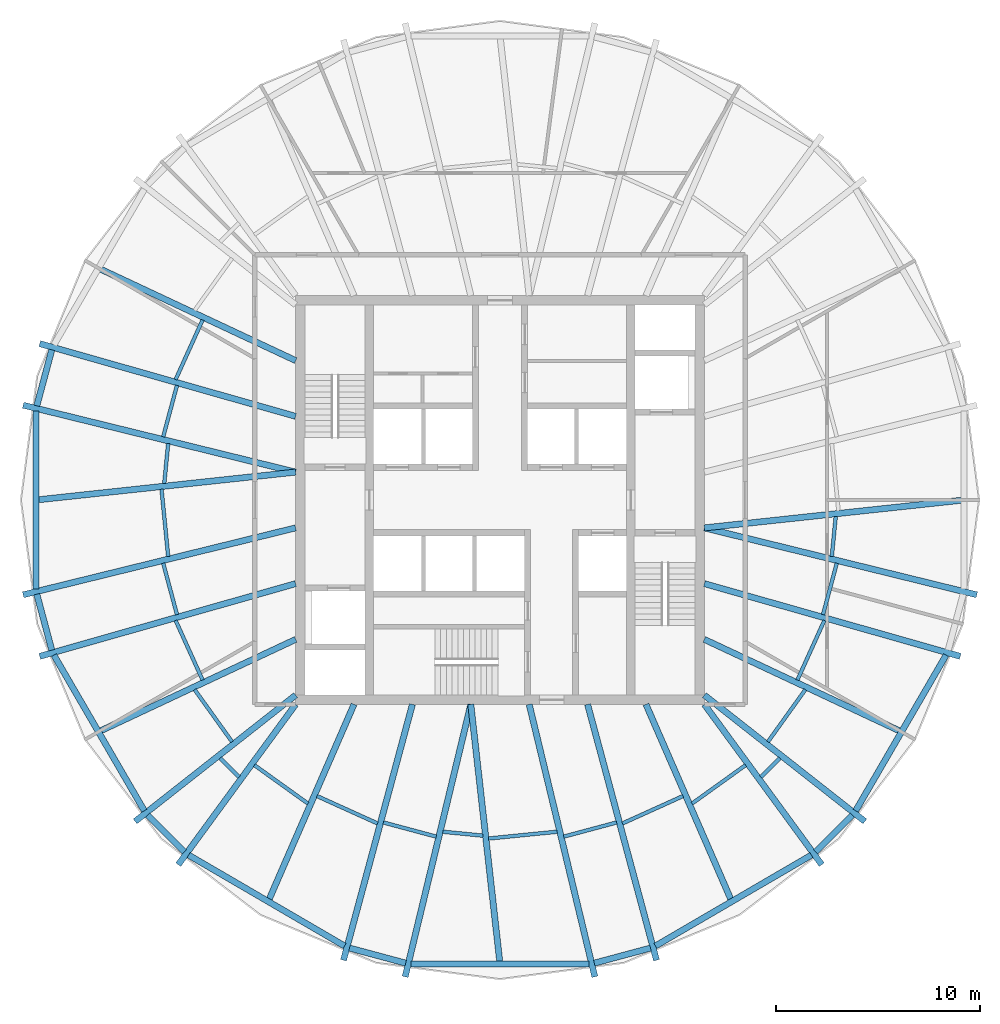
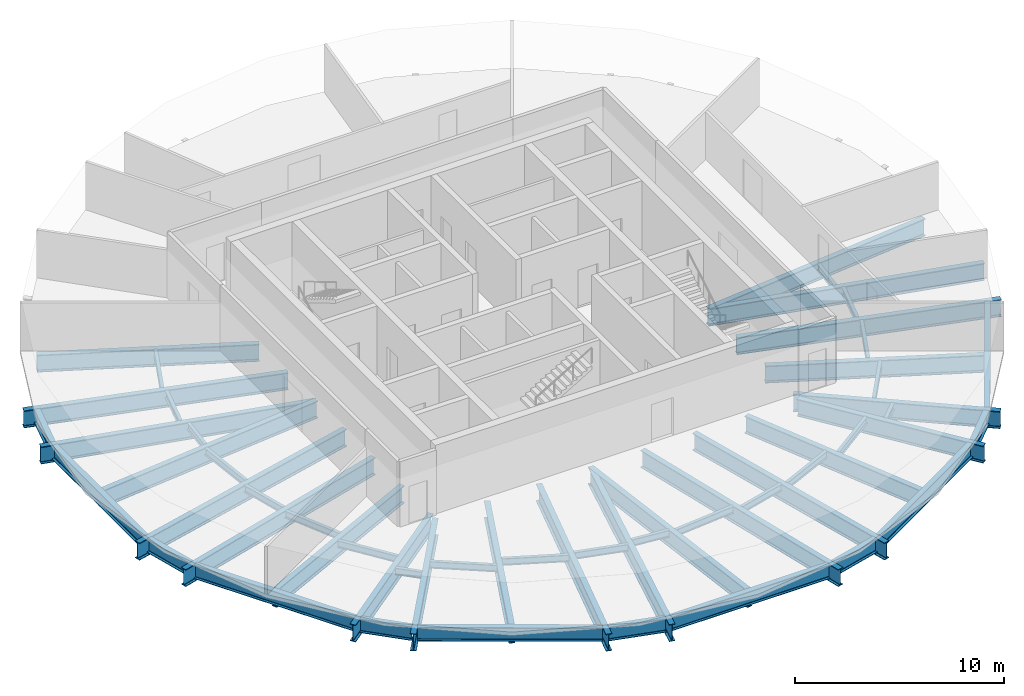
# One storey, part 1 of 6: 55 beams.
"""IFC4 building model written with IfcOpenShell, lengths in metres."""

from ifc_helpers import new_model, si_unit, direction, frame, origin, origin_2d, place, context, subcontext, project, spatial, i_section, extrude, material, material_profile, profile_set, type_object, element, save


model = new_model("IFC4")

# Units and contexts
model_context = context("Model", 3, precision=1e-05, world=origin(), true_north=direction((0.0, 1.0)))
body_context = subcontext(model_context, "Body", "Model", "MODEL_VIEW")
ifc_project = project(units=[si_unit("LENGTHUNIT", "METRE"), si_unit("AREAUNIT", "SQUARE_METRE"), si_unit("VOLUMEUNIT", "CUBIC_METRE"), si_unit("PLANEANGLEUNIT", "RADIAN"), si_unit("MASSUNIT", "GRAM", prefix="KILO")], contexts=[model_context])

# Site, building, storey
site_placement = place(None, origin())
site = spatial("IfcSite", under=ifc_project, at=site_placement, CompositionType="ELEMENT")
building_placement = place(site_placement, origin())
building = spatial("IfcBuilding", under=site, at=building_placement, Name="Golbaran Civic Tower", CompositionType="ELEMENT")
storey_placement = place(building_placement, frame((0.0, 0.0, 203.0)))
storey = spatial("IfcBuildingStorey", under=building, at=storey_placement, Name="L49", CompositionType="ELEMENT", Elevation=203.0)

# Beams
ifc_material = material(Name="Steel S355", Category="steel")
ifc_material_profile_1 = material_profile(ifc_material, i_section(OverallWidth=0.300048828125, OverallDepth=0.800048828125, WebThickness=0.017578125, FlangeThickness=0.032958984375, FilletRadius=0.030029296875, at=origin_2d()), Name="HEB 800")
ifc_profile_set_1 = profile_set([ifc_material_profile_1], Name="Steel S355")
beam_type_1 = type_object("IfcBeamType", Name="EDGE BEAM HEB 800", PredefinedType="BEAM", material=ifc_profile_set_1)
beam_1_placement = place(storey_placement, frame((-21.928955078125, 7.34716796875, -0.60009765625), z_axis=(-0.259012973033, -0.965873842591, 0.0), x_axis=(0.965873842591, -0.259012973033, 0.0)))
element("IfcBeam", 1, at=beam_1_placement, inside=storey, type_object=beam_type_1, Name="Edge beam 161.30 L49", PredefinedType="BEAM", context=body_context, shape_type="SweptSolid", body=[
    extrude(i_section(OverallWidth=0.300048828125, OverallDepth=0.800048828125, WebThickness=0.017578125, FlangeThickness=0.032958984375, FilletRadius=0.030029296875, at=origin_2d()), origin(), (0.0, 0.0, 1.0), 2.835205078125),
])
beam_2_placement = place(storey_placement, frame((-22.69677734375, 4.34912109375, -0.60009765625), z_axis=(0.0, -1.0, 0.0), x_axis=(1.0, 0.0, 0.0)))
element("IfcBeam", 2, at=beam_2_placement, inside=storey, type_object=beam_type_1, Name="Edge beam 168.70 L49", PredefinedType="BEAM", context=body_context, shape_type="SweptSolid", body=[
    extrude(i_section(OverallWidth=0.300048828125, OverallDepth=0.800048828125, WebThickness=0.017578125, FlangeThickness=0.032958984375, FilletRadius=0.030029296875, at=origin_2d()), origin(), (0.0, 0.0, 1.0), 8.6982421875),
])
beam_3_placement = place(storey_placement, frame((-22.663330078125, -4.608642578125, -0.60009765625), z_axis=(0.259012973033, -0.965873842591, 0.0), x_axis=(0.965873842591, 0.259012973033, 0.0)))
element("IfcBeam", 3, at=beam_3_placement, inside=storey, type_object=beam_type_1, Name="Edge beam 191.30 L49", PredefinedType="BEAM", context=body_context, shape_type="SweptSolid", body=[
    extrude(i_section(OverallWidth=0.300048828125, OverallDepth=0.800048828125, WebThickness=0.017578125, FlangeThickness=0.032958984375, FilletRadius=0.030029296875, at=origin_2d()), origin(), (0.0, 0.0, 1.0), 2.835205078125),
])
beam_4_placement = place(storey_placement, frame((-21.827880859375, -7.5888671875, -0.60009765625), z_axis=(0.502360809211, -0.864658092756, 0.0), x_axis=(0.864658092756, 0.502360809211, 0.0)))
element("IfcBeam", 4, at=beam_4_placement, inside=storey, type_object=beam_type_1, Name="Edge beam 198.70 L49", PredefinedType="BEAM", context=body_context, shape_type="SweptSolid", body=[
    extrude(i_section(OverallWidth=0.300048828125, OverallDepth=0.800048828125, WebThickness=0.017578125, FlangeThickness=0.032958984375, FilletRadius=0.030029296875, at=origin_2d()), origin(), (0.0, 0.0, 1.0), 8.8095703125),
])
beam_5_placement = place(storey_placement, frame((-17.243896484375, -15.412353515625, -0.60009765625), z_axis=(0.706483674404, -0.707729339367, 0.0), x_axis=(0.707729339367, 0.706483674404, 0.0)))
element("IfcBeam", 5, at=beam_5_placement, inside=storey, type_object=beam_type_1, Name="Edge beam 221.30 L49", PredefinedType="BEAM", context=body_context, shape_type="SweptSolid", body=[
    extrude(i_section(OverallWidth=0.300048828125, OverallDepth=0.800048828125, WebThickness=0.017578125, FlangeThickness=0.032958984375, FilletRadius=0.030029296875, at=origin_2d()), origin(), (0.0, 0.0, 1.0), 2.5478515625),
])
beam_6_placement = place(storey_placement, frame((-15.238037109375, -17.37451171875, -0.60009765625), z_axis=(0.864030378393, -0.503439673858, 0.0), x_axis=(0.503439673858, 0.864030378393, 0.0)))
element("IfcBeam", 6, at=beam_6_placement, inside=storey, type_object=beam_type_1, Name="Edge beam 228.70 L49", PredefinedType="BEAM", context=body_context, shape_type="SweptSolid", body=[
    extrude(i_section(OverallWidth=0.300048828125, OverallDepth=0.800048828125, WebThickness=0.017578125, FlangeThickness=0.032958984375, FilletRadius=0.030029296875, at=origin_2d()), origin(), (0.0, 0.0, 1.0), 8.834228515625),
])
beam_7_placement = place(storey_placement, frame((-7.363037109375, -21.923583984375, -0.60009765625), z_axis=(0.965762168807, -0.259429052539, 0.0), x_axis=(0.259429052539, 0.965762168807, 0.0)))
element("IfcBeam", 7, at=beam_7_placement, inside=storey, type_object=beam_type_1, Name="Edge beam 251.30 L49", PredefinedType="BEAM", context=body_context, shape_type="SweptSolid", body=[
    extrude(i_section(OverallWidth=0.300048828125, OverallDepth=0.800048828125, WebThickness=0.017578125, FlangeThickness=0.032958984375, FilletRadius=0.030029296875, at=origin_2d()), origin(), (0.0, 0.0, 1.0), 2.8466796875),
])
beam_8_placement = place(storey_placement, frame((-4.3544921875, -22.69580078125, -0.60009765625), z_axis=(1.0, 0.0, 0.0), x_axis=(0.0, 1.0, 0.0)))
element("IfcBeam", 8, at=beam_8_placement, inside=storey, type_object=beam_type_1, Name="Edge beam 258.70 L49", PredefinedType="BEAM", context=body_context, shape_type="SweptSolid", body=[
    extrude(i_section(OverallWidth=0.300048828125, OverallDepth=0.800048828125, WebThickness=0.017578125, FlangeThickness=0.032958984375, FilletRadius=0.030029296875, at=origin_2d()), origin(), (0.0, 0.0, 1.0), 8.708984375),
])
beam_9_placement = place(storey_placement, frame((4.61376953125, -22.662109375, -0.60009765625), z_axis=(0.965762168807, 0.259429052539, 0.0), x_axis=(-0.259429052539, 0.965762168807, 0.0)))
element("IfcBeam", 9, at=beam_9_placement, inside=storey, type_object=beam_type_1, Name="Edge beam 281.30 L49", PredefinedType="BEAM", context=body_context, shape_type="SweptSolid", body=[
    extrude(i_section(OverallWidth=0.300048828125, OverallDepth=0.800048828125, WebThickness=0.017578125, FlangeThickness=0.032958984375, FilletRadius=0.030029296875, at=origin_2d()), origin(), (0.0, 0.0, 1.0), 2.8466796875),
])
beam_10_placement = place(storey_placement, frame((7.60498046875, -21.822021484375, -0.60009765625), z_axis=(0.864030378393, 0.503439673858, 0.0), x_axis=(-0.503439673858, 0.864030378393, 0.0)))
element("IfcBeam", 10, at=beam_10_placement, inside=storey, type_object=beam_type_1, Name="Edge beam 288.70 L49", PredefinedType="BEAM", context=body_context, shape_type="SweptSolid", body=[
    extrude(i_section(OverallWidth=0.300048828125, OverallDepth=0.800048828125, WebThickness=0.017578125, FlangeThickness=0.032958984375, FilletRadius=0.030029296875, at=origin_2d()), origin(), (0.0, 0.0, 1.0), 8.834228515625),
])
beam_11_placement = place(storey_placement, frame((15.44384765625, -17.215576171875, -0.60009765625), z_axis=(0.706483674404, 0.707729339367, 0.0), x_axis=(-0.707729339367, 0.706483674404, 0.0)))
element("IfcBeam", 11, at=beam_11_placement, inside=storey, type_object=beam_type_1, Name="Edge beam 311.30 L49", PredefinedType="BEAM", context=body_context, shape_type="SweptSolid", body=[
    extrude(i_section(OverallWidth=0.300048828125, OverallDepth=0.800048828125, WebThickness=0.017578125, FlangeThickness=0.032958984375, FilletRadius=0.030029296875, at=origin_2d()), origin(), (0.0, 0.0, 1.0), 2.5478515625),
])
beam_12_placement = place(storey_placement, frame((17.40234375, -15.2060546875, -0.60009765625), z_axis=(0.502360809211, 0.864658092756, 0.0), x_axis=(-0.864658092756, 0.502360809211, 0.0)))
element("IfcBeam", 12, at=beam_12_placement, inside=storey, type_object=beam_type_1, Name="Edge beam 318.70 L49", PredefinedType="BEAM", context=body_context, shape_type="SweptSolid", body=[
    extrude(i_section(OverallWidth=0.300048828125, OverallDepth=0.800048828125, WebThickness=0.017578125, FlangeThickness=0.032958984375, FilletRadius=0.030029296875, at=origin_2d()), origin(), (0.0, 0.0, 1.0), 8.8095703125),
])
ifc_material_profile_2 = material_profile(ifc_material, i_section(OverallWidth=0.179931640625, OverallDepth=0.39990234375, WebThickness=0.008544921875, FlangeThickness=0.013427734375, FilletRadius=0.02099609375, at=origin_2d()), Name="IPE 400")
ifc_profile_set_2 = profile_set([ifc_material_profile_2], Name="Steel S355")
beam_type_2 = type_object("IfcBeamType", Name="FLOOR INFILL BEAM IPE 400", PredefinedType="BEAM", material=ifc_profile_set_2)
beam_13_placement = place(storey_placement, frame((-14.55126953125, 8.81103515625, -0.39990234375), z_axis=(-0.412267402969, -0.911062889404, 0.0), x_axis=(0.911062889404, -0.412267402969, 0.0)))
element("IfcBeam", 13, at=beam_13_placement, inside=storey, type_object=beam_type_2, Name="Infill beam 155.65 L49", PredefinedType="BEAM", context=body_context, shape_type="SweptSolid", body=[
    extrude(i_section(OverallWidth=0.179931640625, OverallDepth=0.39990234375, WebThickness=0.008544921875, FlangeThickness=0.013427734375, FilletRadius=0.02099609375, at=origin_2d()), origin(), (0.0, 0.0, 1.0), 3.19970703125),
])
beam_14_placement = place(storey_placement, frame((-15.805419921875, 5.607421875, -0.39990234375), z_axis=(-0.258810998378, -0.965927982366, 0.0), x_axis=(0.965927982366, -0.258810998378, 0.0)))
element("IfcBeam", 14, at=beam_14_placement, inside=storey, type_object=beam_type_2, Name="Infill beam 165.00 L49", PredefinedType="BEAM", context=body_context, shape_type="SweptSolid", body=[
    extrude(i_section(OverallWidth=0.179931640625, OverallDepth=0.39990234375, WebThickness=0.008544921875, FlangeThickness=0.013427734375, FilletRadius=0.02099609375, at=origin_2d()), origin(), (0.0, 0.0, 1.0), 2.6064453125),
])
beam_15_placement = place(storey_placement, frame((-16.235107421875, 2.761962890625, -0.39990234375), z_axis=(-0.098533012033, -0.995133782735, 0.0), x_axis=(0.995133782735, -0.098533012033, 0.0)))
element("IfcBeam", 15, at=beam_15_placement, inside=storey, type_object=beam_type_2, Name="Infill beam 174.35 L49", PredefinedType="BEAM", context=body_context, shape_type="SweptSolid", body=[
    extrude(i_section(OverallWidth=0.179931640625, OverallDepth=0.39990234375, WebThickness=0.008544921875, FlangeThickness=0.013427734375, FilletRadius=0.02099609375, at=origin_2d()), origin(), (0.0, 0.0, 1.0), 1.96728515625),
])
beam_16_placement = place(storey_placement, frame((-16.560791015625, 0.528564453125, -0.39990234375), z_axis=(0.098494843942, -0.995137561203, 0.0), x_axis=(0.995137561203, 0.098494843942, 0.0)))
element("IfcBeam", 16, at=beam_16_placement, inside=storey, type_object=beam_type_2, Name="Infill beam 185.65 L49", PredefinedType="BEAM", context=body_context, shape_type="SweptSolid", body=[
    extrude(i_section(OverallWidth=0.179931640625, OverallDepth=0.39990234375, WebThickness=0.008544921875, FlangeThickness=0.013427734375, FilletRadius=0.02099609375, at=origin_2d()), origin(), (0.0, 0.0, 1.0), 3.306640625),
])
beam_17_placement = place(storey_placement, frame((-16.47998046875, -3.08984375, -0.39990234375), z_axis=(0.258810998378, -0.965927982366, 0.0), x_axis=(0.965927982366, 0.258810998378, 0.0)))
element("IfcBeam", 17, at=beam_17_placement, inside=storey, type_object=beam_type_2, Name="Infill beam 195.00 L49", PredefinedType="BEAM", context=body_context, shape_type="SweptSolid", body=[
    extrude(i_section(OverallWidth=0.179931640625, OverallDepth=0.39990234375, WebThickness=0.008544921875, FlangeThickness=0.013427734375, FilletRadius=0.02099609375, at=origin_2d()), origin(), (0.0, 0.0, 1.0), 2.6064453125),
])
beam_18_placement = place(storey_placement, frame((-15.870361328125, -5.89599609375, -0.39990234375), z_axis=(0.412267402969, -0.911062889404, 0.0), x_axis=(0.911062889404, 0.412267402969, 0.0)))
element("IfcBeam", 18, at=beam_18_placement, inside=storey, type_object=beam_type_2, Name="Infill beam 204.35 L49", PredefinedType="BEAM", context=body_context, shape_type="SweptSolid", body=[
    extrude(i_section(OverallWidth=0.179931640625, OverallDepth=0.39990234375, WebThickness=0.008544921875, FlangeThickness=0.013427734375, FilletRadius=0.02099609375, at=origin_2d()), origin(), (0.0, 0.0, 1.0), 3.19970703125),
])
beam_19_placement = place(storey_placement, frame((-14.939697265625, -9.2802734375, -0.39990234375), z_axis=(0.582863216424, -0.812570286769, 0.0), x_axis=(0.812570286769, 0.582863216424, 0.0)))
element("IfcBeam", 19, at=beam_19_placement, inside=storey, type_object=beam_type_2, Name="Infill beam 215.65 L49", PredefinedType="BEAM", context=body_context, shape_type="SweptSolid", body=[
    extrude(i_section(OverallWidth=0.179931640625, OverallDepth=0.39990234375, WebThickness=0.008544921875, FlangeThickness=0.013427734375, FilletRadius=0.02099609375, at=origin_2d()), origin(), (0.0, 0.0, 1.0), 3.138671875),
])
beam_20_placement = place(storey_placement, frame((-13.7021484375, -12.626953125, -0.39990234375), z_axis=(0.707199195324, -0.70701435497, 0.0), x_axis=(0.70701435497, 0.707199195324, 0.0)))
element("IfcBeam", 20, at=beam_20_placement, inside=storey, type_object=beam_type_2, Name="Infill beam 225.00 L49", PredefinedType="BEAM", context=body_context, shape_type="SweptSolid", body=[
    extrude(i_section(OverallWidth=0.179931640625, OverallDepth=0.39990234375, WebThickness=0.008544921875, FlangeThickness=0.013427734375, FilletRadius=0.02099609375, at=origin_2d()), origin(), (0.0, 0.0, 1.0), 1.32080078125),
])
beam_21_placement = place(storey_placement, frame((-12.01611328125, -12.973876953125, -0.39990234375), z_axis=(0.812554629011, -0.582885044303, 0.0), x_axis=(0.582885044303, 0.812554629011, 0.0)))
element("IfcBeam", 21, at=beam_21_placement, inside=storey, type_object=beam_type_2, Name="Infill beam 234.35 L49", PredefinedType="BEAM", context=body_context, shape_type="SweptSolid", body=[
    extrude(i_section(OverallWidth=0.179931640625, OverallDepth=0.39990234375, WebThickness=0.008544921875, FlangeThickness=0.013427734375, FilletRadius=0.02099609375, at=origin_2d()), origin(), (0.0, 0.0, 1.0), 3.22314453125),
])
beam_22_placement = place(storey_placement, frame((-8.954345703125, -14.486572265625, -0.39990234375), z_axis=(0.911033435197, -0.412332487143, 0.0), x_axis=(0.412332487143, 0.911033435197, 0.0)))
element("IfcBeam", 22, at=beam_22_placement, inside=storey, type_object=beam_type_2, Name="Infill beam 245.65 L49", PredefinedType="BEAM", context=body_context, shape_type="SweptSolid", body=[
    extrude(i_section(OverallWidth=0.179931640625, OverallDepth=0.39990234375, WebThickness=0.008544921875, FlangeThickness=0.013427734375, FilletRadius=0.02099609375, at=origin_2d()), origin(), (0.0, 0.0, 1.0), 3.253662109375),
])
beam_23_placement = place(storey_placement, frame((-5.70751953125, -15.7783203125, -0.39990234375), z_axis=(0.965922403775, -0.258831817762, 0.0), x_axis=(0.258831817762, 0.965922403775, 0.0)))
element("IfcBeam", 23, at=beam_23_placement, inside=storey, type_object=beam_type_2, Name="Infill beam 255.00 L49", PredefinedType="BEAM", context=body_context, shape_type="SweptSolid", body=[
    extrude(i_section(OverallWidth=0.179931640625, OverallDepth=0.39990234375, WebThickness=0.008544921875, FlangeThickness=0.013427734375, FilletRadius=0.02099609375, at=origin_2d()), origin(), (0.0, 0.0, 1.0), 2.677001953125),
])
beam_24_placement = place(storey_placement, frame((-2.796630859375, -16.231201171875, -0.39990234375), z_axis=(0.995133663007, -0.098534221209, 0.0), x_axis=(0.098534221209, 0.995133663007, 0.0)))
element("IfcBeam", 24, at=beam_24_placement, inside=storey, type_object=beam_type_2, Name="Infill beam 264.35 L49", PredefinedType="BEAM", context=body_context, shape_type="SweptSolid", body=[
    extrude(i_section(OverallWidth=0.179931640625, OverallDepth=0.39990234375, WebThickness=0.008544921875, FlangeThickness=0.013427734375, FilletRadius=0.02099609375, at=origin_2d()), origin(), (0.0, 0.0, 1.0), 1.9697265625),
])
beam_25_placement = place(storey_placement, frame((-0.559326171875, -16.5634765625, -0.39990234375), z_axis=(0.995134194351, 0.098528854831, 0.0), x_axis=(-0.098528854831, 0.995134194351, 0.0)))
element("IfcBeam", 25, at=beam_25_placement, inside=storey, type_object=beam_type_2, Name="Infill beam 275.65 L49", PredefinedType="BEAM", context=body_context, shape_type="SweptSolid", body=[
    extrude(i_section(OverallWidth=0.179931640625, OverallDepth=0.39990234375, WebThickness=0.008544921875, FlangeThickness=0.013427734375, FilletRadius=0.02099609375, at=origin_2d()), origin(), (0.0, 0.0, 1.0), 3.372314453125),
])
beam_26_placement = place(storey_placement, frame((3.121826171875, -16.47119140625, -0.39990234375), z_axis=(0.965922403775, 0.258831817762, 0.0), x_axis=(-0.258831817762, 0.965922403775, 0.0)))
element("IfcBeam", 26, at=beam_26_placement, inside=storey, type_object=beam_type_2, Name="Infill beam 285.00 L49", PredefinedType="BEAM", context=body_context, shape_type="SweptSolid", body=[
    extrude(i_section(OverallWidth=0.179931640625, OverallDepth=0.39990234375, WebThickness=0.008544921875, FlangeThickness=0.013427734375, FilletRadius=0.02099609375, at=origin_2d()), origin(), (0.0, 0.0, 1.0), 2.677001953125),
])
beam_27_placement = place(storey_placement, frame((5.990234375, -15.828125, -0.39990234375), z_axis=(0.911033435197, 0.412332487143, 0.0), x_axis=(-0.412332487143, 0.911033435197, 0.0)))
element("IfcBeam", 27, at=beam_27_placement, inside=storey, type_object=beam_type_2, Name="Infill beam 294.35 L49", PredefinedType="BEAM", context=body_context, shape_type="SweptSolid", body=[
    extrude(i_section(OverallWidth=0.179931640625, OverallDepth=0.39990234375, WebThickness=0.008544921875, FlangeThickness=0.013427734375, FilletRadius=0.02099609375, at=origin_2d()), origin(), (0.0, 0.0, 1.0), 3.253662109375),
])
beam_28_placement = place(storey_placement, frame((9.397216796875, -14.8525390625, -0.39990234375), z_axis=(0.812554629011, 0.582885044303, 0.0), x_axis=(-0.582885044303, 0.812554629011, 0.0)))
element("IfcBeam", 28, at=beam_28_placement, inside=storey, type_object=beam_type_2, Name="Infill beam 305.65 L49", PredefinedType="BEAM", context=body_context, shape_type="SweptSolid", body=[
    extrude(i_section(OverallWidth=0.179931640625, OverallDepth=0.39990234375, WebThickness=0.008544921875, FlangeThickness=0.013427734375, FilletRadius=0.02099609375, at=origin_2d()), origin(), (0.0, 0.0, 1.0), 3.22314453125),
])
beam_29_placement = place(storey_placement, frame((12.76806640625, -13.560791015625, -0.39990234375), z_axis=(0.707199195324, 0.70701435497, 0.0), x_axis=(-0.70701435497, 0.707199195324, 0.0)))
element("IfcBeam", 29, at=beam_29_placement, inside=storey, type_object=beam_type_2, Name="Infill beam 315.00 L49", PredefinedType="BEAM", context=body_context, shape_type="SweptSolid", body=[
    extrude(i_section(OverallWidth=0.179931640625, OverallDepth=0.39990234375, WebThickness=0.008544921875, FlangeThickness=0.013427734375, FilletRadius=0.02099609375, at=origin_2d()), origin(), (0.0, 0.0, 1.0), 1.32080078125),
])
beam_30_placement = place(storey_placement, frame((13.1103515625, -11.83056640625, -0.39990234375), z_axis=(0.582863216424, 0.812570286769, 0.0), x_axis=(-0.812570286769, 0.582863216424, 0.0)))
element("IfcBeam", 30, at=beam_30_placement, inside=storey, type_object=beam_type_2, Name="Infill beam 324.35 L49", PredefinedType="BEAM", context=body_context, shape_type="SweptSolid", body=[
    extrude(i_section(OverallWidth=0.179931640625, OverallDepth=0.39990234375, WebThickness=0.008544921875, FlangeThickness=0.013427734375, FilletRadius=0.02099609375, at=origin_2d()), origin(), (0.0, 0.0, 1.0), 3.138671875),
])
beam_31_placement = place(storey_placement, frame((14.55126953125, -8.81103515625, -0.39990234375), z_axis=(0.412267402969, 0.911062889404, 0.0), x_axis=(-0.911062889404, 0.412267402969, 0.0)))
element("IfcBeam", 31, at=beam_31_placement, inside=storey, type_object=beam_type_2, Name="Infill beam 335.65 L49", PredefinedType="BEAM", context=body_context, shape_type="SweptSolid", body=[
    extrude(i_section(OverallWidth=0.179931640625, OverallDepth=0.39990234375, WebThickness=0.008544921875, FlangeThickness=0.013427734375, FilletRadius=0.02099609375, at=origin_2d()), origin(), (0.0, 0.0, 1.0), 3.19970703125),
])
beam_32_placement = place(storey_placement, frame((15.805419921875, -5.607421875, -0.39990234375), z_axis=(0.258810998378, 0.965927982366, 0.0), x_axis=(-0.965927982366, 0.258810998378, 0.0)))
element("IfcBeam", 32, at=beam_32_placement, inside=storey, type_object=beam_type_2, Name="Infill beam 345.00 L49", PredefinedType="BEAM", context=body_context, shape_type="SweptSolid", body=[
    extrude(i_section(OverallWidth=0.179931640625, OverallDepth=0.39990234375, WebThickness=0.008544921875, FlangeThickness=0.013427734375, FilletRadius=0.02099609375, at=origin_2d()), origin(), (0.0, 0.0, 1.0), 2.6064453125),
])
beam_33_placement = place(storey_placement, frame((16.235107421875, -2.761962890625, -0.39990234375), z_axis=(0.098533012033, 0.995133782735, 0.0), x_axis=(-0.995133782735, 0.098533012033, 0.0)))
element("IfcBeam", 33, at=beam_33_placement, inside=storey, type_object=beam_type_2, Name="Infill beam 354.35 L49", PredefinedType="BEAM", context=body_context, shape_type="SweptSolid", body=[
    extrude(i_section(OverallWidth=0.179931640625, OverallDepth=0.39990234375, WebThickness=0.008544921875, FlangeThickness=0.013427734375, FilletRadius=0.02099609375, at=origin_2d()), origin(), (0.0, 0.0, 1.0), 1.96728515625),
])
ifc_material_profile_3 = material_profile(ifc_material, i_section(OverallWidth=0.300048828125, OverallDepth=1.0, WebThickness=0.01904296875, FlangeThickness=0.035888671875, FilletRadius=0.030029296875, at=origin_2d()), Name="HEB 1000")
ifc_profile_set_3 = profile_set([ifc_material_profile_3], Name="Steel S355")
beam_type_3 = type_object("IfcBeamType", Name="RADIAL FLOOR BEAM HEB 1000", PredefinedType="BEAM", material=ifc_profile_set_3)
beam_34_placement = place(storey_placement, frame((-10.0, 4.0927734375, -0.7099609375), z_axis=(-0.961917201572, 0.273340990923, 0.0), x_axis=(-0.273340990923, -0.961917201572, 0.0)))
element("IfcBeam", 34, at=beam_34_placement, inside=storey, type_object=beam_type_3, Name="Radial beam 161.30 L49", PredefinedType="BEAM", context=body_context, shape_type="SweptSolid", body=[
    extrude(i_section(OverallWidth=0.300048828125, OverallDepth=1.0, WebThickness=0.01904296875, FlangeThickness=0.035888671875, FilletRadius=0.030029296875, at=origin_2d()), origin(), (0.0, 0.0, 1.0), 13.01611328125),
])
for number, where, z_axis, x_axis, name in (
    (35, (-10.0, 1.3642578125, -0.7099609375), (-0.971135627065, 0.238527972878, 0.0), (-0.238527972878, -0.971135627065, 0.0), "Radial beam 168.70 L49"),
    (36, (-10.0, -1.3642578125, -0.7099609375), (-0.971135627065, -0.238527972878, 0.0), (0.238527972878, -0.971135627065, 0.0), "Radial beam 191.30 L49"),
):
    element("IfcBeam", number, at=place(storey_placement, frame(where, z_axis=z_axis, x_axis=x_axis)), inside=storey, type_object=beam_type_3, Name=name, PredefinedType="BEAM", context=body_context, shape_type="SweptSolid", body=[
        extrude(i_section(OverallWidth=0.300048828125, OverallDepth=1.0, WebThickness=0.01904296875, FlangeThickness=0.035888671875, FilletRadius=0.030029296875, at=origin_2d()), origin(), (0.0, 0.0, 1.0), 13.724609375),
    ])
beam_35_placement = place(storey_placement, frame((-10.0, -4.0927734375, -0.7099609375), z_axis=(-0.961917201572, -0.273340990923, 0.0), x_axis=(0.273340990923, -0.961917201572, 0.0)))
element("IfcBeam", 37, at=beam_35_placement, inside=storey, type_object=beam_type_3, Name="Radial beam 198.70 L49", PredefinedType="BEAM", context=body_context, shape_type="SweptSolid", body=[
    extrude(i_section(OverallWidth=0.300048828125, OverallDepth=1.0, WebThickness=0.01904296875, FlangeThickness=0.035888671875, FilletRadius=0.030029296875, at=origin_2d()), origin(), (0.0, 0.0, 1.0), 13.01611328125),
])
beam_36_placement = place(storey_placement, frame((-10.0, -9.550048828125, -0.7099609375), z_axis=(-0.78603926777, -0.618176568242, 0.0), x_axis=(0.618176568242, -0.78603926777, 0.0)))
element("IfcBeam", 38, at=beam_36_placement, inside=storey, type_object=beam_type_3, Name="Radial beam 221.30 L49", PredefinedType="BEAM", context=body_context, shape_type="SweptSolid", body=[
    extrude(i_section(OverallWidth=0.300048828125, OverallDepth=1.0, WebThickness=0.01904296875, FlangeThickness=0.035888671875, FilletRadius=0.030029296875, at=origin_2d()), origin(), (0.0, 0.0, 1.0), 9.990234375),
])
beam_37_placement = place(storey_placement, frame((-10.0, -10.0, -0.7099609375), z_axis=(-0.590736222223, -0.806864744399, 0.0), x_axis=(0.806864744399, -0.590736222223, 0.0)))
element("IfcBeam", 39, at=beam_37_placement, inside=storey, type_object=beam_type_3, Name="Radial beam 228.70 L49", PredefinedType="BEAM", context=body_context, shape_type="SweptSolid", body=[
    extrude(i_section(OverallWidth=0.300048828125, OverallDepth=1.0, WebThickness=0.01904296875, FlangeThickness=0.035888671875, FilletRadius=0.030029296875, at=origin_2d()), origin(), (0.0, 0.0, 1.0), 9.71923828125),
])
beam_38_placement = place(storey_placement, frame((-4.28564453125, -10.0, -0.7099609375), z_axis=(-0.260101119243, -0.965581383296, 0.0), x_axis=(0.965581383296, -0.260101119243, 0.0)))
element("IfcBeam", 40, at=beam_38_placement, inside=storey, type_object=beam_type_3, Name="Radial beam 251.30 L49", PredefinedType="BEAM", context=body_context, shape_type="SweptSolid", body=[
    extrude(i_section(OverallWidth=0.300048828125, OverallDepth=1.0, WebThickness=0.01904296875, FlangeThickness=0.035888671875, FilletRadius=0.030029296875, at=origin_2d()), origin(), (0.0, 0.0, 1.0), 12.963623046875),
])
for number, where, z_axis, x_axis, name in (
    (41, (-1.428466796875, -10.0, -0.7099609375), (-0.234297587764, -0.972164924469, 0.0), (0.972164924469, -0.234297587764, 0.0), "Radial beam 258.70 L49"),
    (42, (1.428466796875, -10.0, -0.7099609375), (0.234297587764, -0.972164924469, 0.0), (0.972164924469, 0.234297587764, 0.0), "Radial beam 281.30 L49"),
):
    element("IfcBeam", number, at=place(storey_placement, frame(where, z_axis=z_axis, x_axis=x_axis)), inside=storey, type_object=beam_type_3, Name=name, PredefinedType="BEAM", context=body_context, shape_type="SweptSolid", body=[
        extrude(i_section(OverallWidth=0.300048828125, OverallDepth=1.0, WebThickness=0.01904296875, FlangeThickness=0.035888671875, FilletRadius=0.030029296875, at=origin_2d()), origin(), (0.0, 0.0, 1.0), 13.709716796875),
    ])
beam_39_placement = place(storey_placement, frame((4.28564453125, -10.0, -0.7099609375), z_axis=(0.260101119243, -0.965581383296, 0.0), x_axis=(0.965581383296, 0.260101119243, 0.0)))
element("IfcBeam", 43, at=beam_39_placement, inside=storey, type_object=beam_type_3, Name="Radial beam 288.70 L49", PredefinedType="BEAM", context=body_context, shape_type="SweptSolid", body=[
    extrude(i_section(OverallWidth=0.300048828125, OverallDepth=1.0, WebThickness=0.01904296875, FlangeThickness=0.035888671875, FilletRadius=0.030029296875, at=origin_2d()), origin(), (0.0, 0.0, 1.0), 12.963623046875),
])
beam_40_placement = place(storey_placement, frame((10.0, -10.0, -0.7099609375), z_axis=(0.590736222223, -0.806864744399, 0.0), x_axis=(0.806864744399, 0.590736222223, 0.0)))
element("IfcBeam", 44, at=beam_40_placement, inside=storey, type_object=beam_type_3, Name="Radial beam 311.30 L49", PredefinedType="BEAM", context=body_context, shape_type="SweptSolid", body=[
    extrude(i_section(OverallWidth=0.300048828125, OverallDepth=1.0, WebThickness=0.01904296875, FlangeThickness=0.035888671875, FilletRadius=0.030029296875, at=origin_2d()), origin(), (0.0, 0.0, 1.0), 9.71923828125),
])
beam_41_placement = place(storey_placement, frame((10.0, -9.550048828125, -0.7099609375), z_axis=(0.78603926777, -0.618176568242, 0.0), x_axis=(0.618176568242, 0.78603926777, 0.0)))
element("IfcBeam", 45, at=beam_41_placement, inside=storey, type_object=beam_type_3, Name="Radial beam 318.70 L49", PredefinedType="BEAM", context=body_context, shape_type="SweptSolid", body=[
    extrude(i_section(OverallWidth=0.300048828125, OverallDepth=1.0, WebThickness=0.01904296875, FlangeThickness=0.035888671875, FilletRadius=0.030029296875, at=origin_2d()), origin(), (0.0, 0.0, 1.0), 9.990234375),
])
beam_42_placement = place(storey_placement, frame((10.0, -4.0927734375, -0.7099609375), z_axis=(0.961917201572, -0.273340990923, 0.0), x_axis=(0.273340990923, 0.961917201572, 0.0)))
element("IfcBeam", 46, at=beam_42_placement, inside=storey, type_object=beam_type_3, Name="Radial beam 341.30 L49", PredefinedType="BEAM", context=body_context, shape_type="SweptSolid", body=[
    extrude(i_section(OverallWidth=0.300048828125, OverallDepth=1.0, WebThickness=0.01904296875, FlangeThickness=0.035888671875, FilletRadius=0.030029296875, at=origin_2d()), origin(), (0.0, 0.0, 1.0), 13.01611328125),
])
beam_43_placement = place(storey_placement, frame((10.0, -1.3642578125, -0.7099609375), z_axis=(0.971135627065, -0.238527972878, 0.0), x_axis=(0.238527972878, 0.971135627065, 0.0)))
element("IfcBeam", 47, at=beam_43_placement, inside=storey, type_object=beam_type_3, Name="Radial beam 348.70 L49", PredefinedType="BEAM", context=body_context, shape_type="SweptSolid", body=[
    extrude(i_section(OverallWidth=0.300048828125, OverallDepth=1.0, WebThickness=0.01904296875, FlangeThickness=0.035888671875, FilletRadius=0.030029296875, at=origin_2d()), origin(), (0.0, 0.0, 1.0), 13.724609375),
])
ifc_material_profile_4 = material_profile(ifc_material, i_section(OverallWidth=0.300048828125, OverallDepth=1.0, WebThickness=0.01904296875, FlangeThickness=0.035888671875, FilletRadius=0.030029296875, at=origin_2d()), Name="HEB 1000")
ifc_profile_set_4 = profile_set([ifc_material_profile_4], Name="Steel S355")
beam_type_4 = type_object("IfcBeamType", Name="SECONDARY FLOOR BEAM HEB 1000", PredefinedType="BEAM", material=ifc_profile_set_4)
beam_44_placement = place(storey_placement, frame((10.0, -1.3642578125, -0.7099609375), z_axis=(0.994276850385, 0.106834192977, 0.0), x_axis=(-0.106834192977, 0.994276850385, 0.0)))
element("IfcBeam", 48, at=beam_44_placement, inside=storey, type_object=beam_type_4, Name="Secondary beam 0.00 L49", PredefinedType="BEAM", context=body_context, shape_type="SweptSolid", body=[
    extrude(i_section(OverallWidth=0.300048828125, OverallDepth=1.0, WebThickness=0.01904296875, FlangeThickness=0.035888671875, FilletRadius=0.030029296875, at=origin_2d()), origin(), (0.0, 0.0, 1.0), 12.769775390625),
])
beam_45_placement = place(storey_placement, frame((-10.0, 6.821533203125, -0.7099609375), z_axis=(-0.905474071955, 0.424401584608, 0.0), x_axis=(-0.424401584608, -0.905474071955, 0.0)))
element("IfcBeam", 49, at=beam_45_placement, inside=storey, type_object=beam_type_4, Name="Secondary beam 150.00 L49", PredefinedType="BEAM", context=body_context, shape_type="SweptSolid", body=[
    extrude(i_section(OverallWidth=0.300048828125, OverallDepth=1.0, WebThickness=0.01904296875, FlangeThickness=0.035888671875, FilletRadius=0.030029296875, at=origin_2d()), origin(), (0.0, 0.0, 1.0), 10.65380859375),
])
beam_46_placement = place(storey_placement, frame((-10.0, 1.3642578125, -0.7099609375), z_axis=(-0.994276850385, -0.106834192977, 0.0), x_axis=(0.106834192977, -0.994276850385, 0.0)))
element("IfcBeam", 50, at=beam_46_placement, inside=storey, type_object=beam_type_4, Name="Secondary beam 180.00 L49", PredefinedType="BEAM", context=body_context, shape_type="SweptSolid", body=[
    extrude(i_section(OverallWidth=0.300048828125, OverallDepth=1.0, WebThickness=0.01904296875, FlangeThickness=0.035888671875, FilletRadius=0.030029296875, at=origin_2d()), origin(), (0.0, 0.0, 1.0), 12.769775390625),
])
beam_47_placement = place(storey_placement, frame((-10.0, -6.821533203125, -0.7099609375), z_axis=(-0.905474071955, -0.424401584608, 0.0), x_axis=(0.424401584608, -0.905474071955, 0.0)))
element("IfcBeam", 51, at=beam_47_placement, inside=storey, type_object=beam_type_4, Name="Secondary beam 210.00 L49", PredefinedType="BEAM", context=body_context, shape_type="SweptSolid", body=[
    extrude(i_section(OverallWidth=0.300048828125, OverallDepth=1.0, WebThickness=0.01904296875, FlangeThickness=0.035888671875, FilletRadius=0.030029296875, at=origin_2d()), origin(), (0.0, 0.0, 1.0), 10.65380859375),
])
beam_48_placement = place(storey_placement, frame((-7.142822265625, -10.0, -0.7099609375), z_axis=(-0.399173309626, -0.916875492574, 0.0), x_axis=(0.916875492574, -0.399173309626, 0.0)))
element("IfcBeam", 52, at=beam_48_placement, inside=storey, type_object=beam_type_4, Name="Secondary beam 240.00 L49", PredefinedType="BEAM", context=body_context, shape_type="SweptSolid", body=[
    extrude(i_section(OverallWidth=0.300048828125, OverallDepth=1.0, WebThickness=0.01904296875, FlangeThickness=0.035888671875, FilletRadius=0.030029296875, at=origin_2d()), origin(), (0.0, 0.0, 1.0), 10.519287109375),
])
beam_49_placement = place(storey_placement, frame((-1.428466796875, -10.0, -0.7099609375), z_axis=(0.111809397786, -0.993729670769, 0.0), x_axis=(0.993729670769, 0.111809397786, 0.0)))
element("IfcBeam", 53, at=beam_49_placement, inside=storey, type_object=beam_type_4, Name="Secondary beam 270.00 L49", PredefinedType="BEAM", context=body_context, shape_type="SweptSolid", body=[
    extrude(i_section(OverallWidth=0.300048828125, OverallDepth=1.0, WebThickness=0.01904296875, FlangeThickness=0.035888671875, FilletRadius=0.030029296875, at=origin_2d()), origin(), (0.0, 0.0, 1.0), 12.77587890625),
])
beam_50_placement = place(storey_placement, frame((7.142822265625, -10.0, -0.7099609375), z_axis=(0.399173309626, -0.916875492574, 0.0), x_axis=(0.916875492574, 0.399173309626, 0.0)))
element("IfcBeam", 54, at=beam_50_placement, inside=storey, type_object=beam_type_4, Name="Secondary beam 300.00 L49", PredefinedType="BEAM", context=body_context, shape_type="SweptSolid", body=[
    extrude(i_section(OverallWidth=0.300048828125, OverallDepth=1.0, WebThickness=0.01904296875, FlangeThickness=0.035888671875, FilletRadius=0.030029296875, at=origin_2d()), origin(), (0.0, 0.0, 1.0), 10.519287109375),
])
beam_51_placement = place(storey_placement, frame((10.0, -6.821533203125, -0.7099609375), z_axis=(0.905474071955, -0.424401584608, 0.0), x_axis=(0.424401584608, 0.905474071955, 0.0)))
element("IfcBeam", 55, at=beam_51_placement, inside=storey, type_object=beam_type_4, Name="Secondary beam 330.00 L49", PredefinedType="BEAM", context=body_context, shape_type="SweptSolid", body=[
    extrude(i_section(OverallWidth=0.300048828125, OverallDepth=1.0, WebThickness=0.01904296875, FlangeThickness=0.035888671875, FilletRadius=0.030029296875, at=origin_2d()), origin(), (0.0, 0.0, 1.0), 10.65380859375),
])

save(model, "model.ifc")
